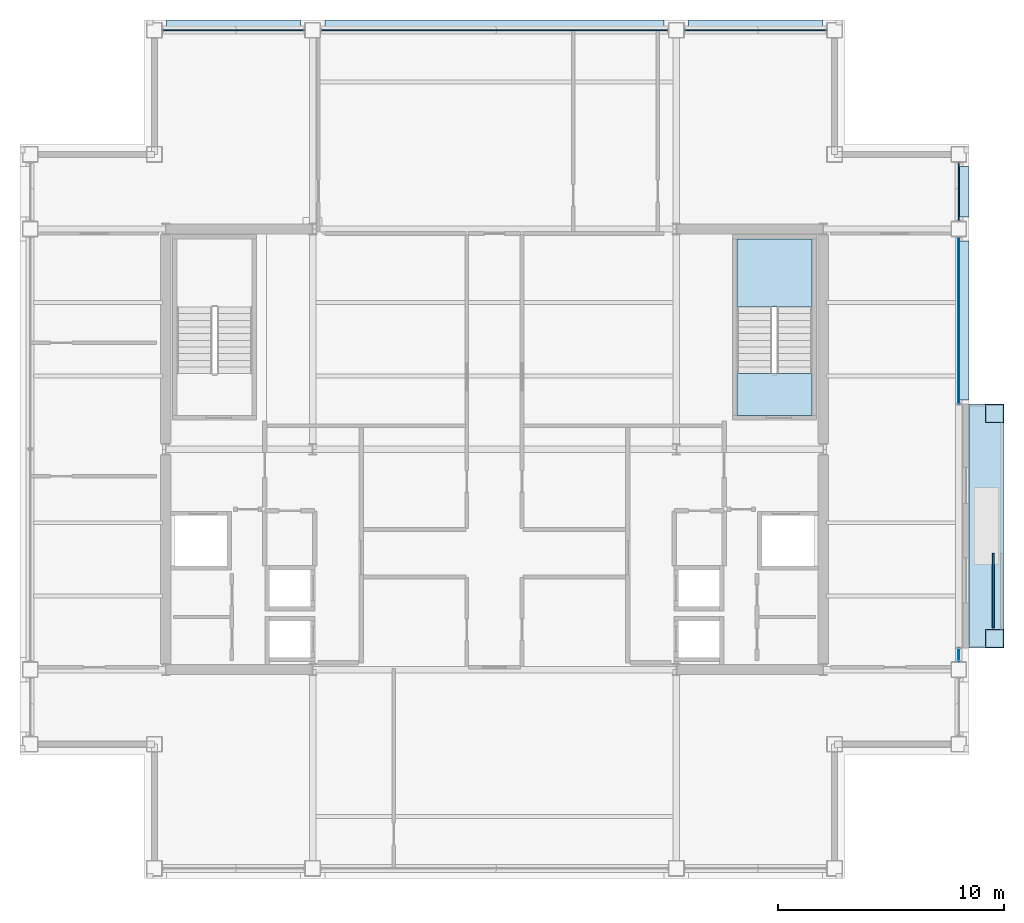
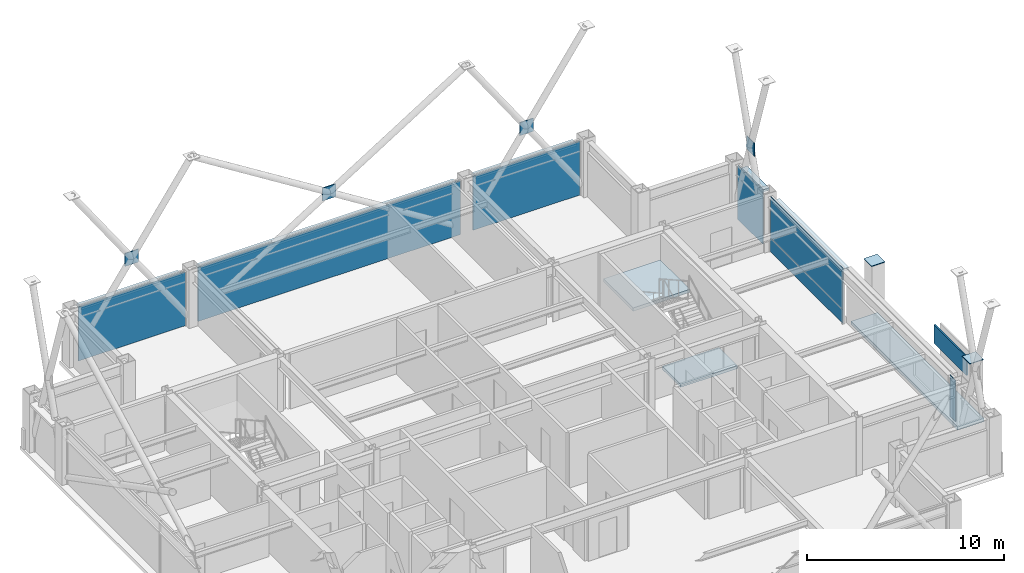
# One storey, part 27 of 33: 19 plates, 3 slabs, 7 elements without a shape of their own.
"""IFC4 building model written with IfcOpenShell, lengths in metres."""

from ifc_helpers import new_model, si_unit, direction, frame, origin, origin_2d, place, context, subcontext, project, spatial, polyline, rectangle, outline, extrude, material, layer, layer_set, type_object, element, aggregate, save


model = new_model("IFC4")

# Units and contexts
model_context = context("Model", 3, precision=1e-05, world=origin(), true_north=direction((0.0, 1.0)))
body_context = subcontext(model_context, "Body", "Model", "MODEL_VIEW")
ifc_project = project(units=[si_unit("LENGTHUNIT", "METRE"), si_unit("AREAUNIT", "SQUARE_METRE"), si_unit("VOLUMEUNIT", "CUBIC_METRE"), si_unit("PLANEANGLEUNIT", "RADIAN"), si_unit("MASSUNIT", "GRAM", prefix="KILO")], contexts=[model_context])

# Site, building, storey
site_placement = place(None, origin())
site = spatial("IfcSite", under=ifc_project, at=site_placement, CompositionType="ELEMENT")
building_placement = place(site_placement, origin())
building = spatial("IfcBuilding", under=site, at=building_placement, Name="Brelmoor Portico Tower", CompositionType="ELEMENT")
storey_placement = place(building_placement, frame((0.0, 0.0, 194.699951171875)))
storey = spatial("IfcBuildingStorey", under=building, at=storey_placement, Name="L51", CompositionType="ELEMENT", Elevation=194.699951171875)

# Plates
ifc_material_1 = material(Name="Steel Q355B", Category="steel")
ifc_layer_1 = layer(ifc_material_1, 0.044921875)
ifc_layer_set_1 = layer_set([ifc_layer_1], Name="Steel Q355B")
plate_type_1 = type_object("IfcPlateType", Name="PT-CAP-650", PredefinedType="SHEET", material=ifc_layer_set_1)
for number, where, z_axis, x_axis, name in (
    (1, (22.1298828125, -8.3798828125, 3.60009765625), (0.0, 0.0, 1.0), (0.0, 1.0, 0.0), "L51 Proud Picture-Frame Pier PFJ-E1 Welded Head Cap Plate"),
    (2, (22.1298828125, 1.580078125, 3.60009765625), (0.0, 0.0, 1.0), (0.0, 1.0, 0.0), "L51 Proud Picture-Frame Pier PFJ-E2 Welded Head Cap Plate"),
):
    element("IfcPlate", number, at=place(storey_placement, frame(where, z_axis=z_axis, x_axis=x_axis)), inside=storey, type_object=plate_type_1, Name=name, PredefinedType="SHEET", context=body_context, shape_type="SweptSolid", body=[
        extrude(rectangle(XDim=0.7900390625, YDim=0.7900390625, at=origin_2d()), origin(), (0.0, 0.0, 1.0), 0.0400390625),
    ])

# Curtain wall, plate
ifc_material_2 = material(Name="Anodised Aluminium Alloy 6063-T6", Category="aluminium")
ifc_layer_2 = layer(ifc_material_2, 0.179931640625)
ifc_layer_set_2 = layer_set([ifc_layer_2], Name="Anodised Aluminium Alloy 6063-T6")
curtain_wall_type_1 = type_object("IfcCurtainWallType", Name="CW-TOWER-Z3", PredefinedType="NOTDEFINED", material=ifc_layer_set_2)
curtain_wall_1_placement = place(storey_placement, origin())
curtain_wall_1 = element("IfcCurtainWall", 3, at=curtain_wall_1_placement, inside=storey, type_object=curtain_wall_type_1, Name="L51 Curtain Wall CW-L51-4L-2", PredefinedType="NOTDEFINED")
ifc_material_3 = material(Name="Double-Silver Low-E Insulated Glazing", Category="glass")
ifc_layer_3 = layer(ifc_material_3, 0.035888671875)
ifc_layer_set_3 = layer_set([ifc_layer_3], Name="Double-Silver Low-E Insulated Glazing")
plate_type_2 = type_object("IfcPlateType", Name="PT-CW-GLASS", PredefinedType="CURTAIN_PANEL", material=ifc_layer_set_3)
plate_1_placement = place(storey_placement, frame((20.550048828125, -9.094970703125, 0.85009765625), z_axis=(0.0, 0.0, 1.0), x_axis=(0.0, 1.0, 0.0)))
plate_1 = element("IfcPlate", 4, at=plate_1_placement, type_object=plate_type_2, Name="CW-L51-4L-2 Vision Glass Panel 00", PredefinedType="CURTAIN_PANEL", context=body_context, shape_type="SweptSolid", body=[
    extrude(rectangle(XDim=0.56005859375, YDim=0.035888671875, at=origin_2d()), origin(), (0.0, 0.0, 1.0), 2.550048828125),
])
aggregate(curtain_wall_1, [plate_1])

curtain_wall_2_placement = place(storey_placement, origin())
curtain_wall_2 = element("IfcCurtainWall", 5, at=curtain_wall_2_placement, inside=storey, type_object=curtain_wall_type_1, Name="L51 Curtain Wall CW-L51-4R-1", PredefinedType="NOTDEFINED")
plate_2_placement = place(storey_placement, frame((20.550048828125, 5.695068359375, 0.85009765625), z_axis=(0.0, 0.0, 1.0), x_axis=(0.0, 1.0, 0.0)))
plate_2 = element("IfcPlate", 6, at=plate_2_placement, type_object=plate_type_2, Name="CW-L51-4R-1 Vision Glass Panel 00", PredefinedType="CURTAIN_PANEL", context=body_context, shape_type="SweptSolid", body=[
    extrude(rectangle(XDim=7.360107421875, YDim=0.035888671875, at=origin_2d()), origin(), (0.0, 0.0, 1.0), 2.550048828125),
])

ifc_layer_4 = layer(ifc_material_2, 0.179931640625)
ifc_layer_set_4 = layer_set([ifc_layer_4], Name="Anodised Aluminium Alloy 6063-T6")
curtain_wall_type_2 = type_object("IfcCurtainWallType", Name="CW-TOWER-Z3-XB", PredefinedType="NOTDEFINED", material=ifc_layer_set_4)
curtain_wall_3_placement = place(storey_placement, origin())
curtain_wall_3 = element("IfcCurtainWall", 7, at=curtain_wall_3_placement, inside=storey, type_object=curtain_wall_type_2, Name="L51 Curtain Wall CW-L51-02-1", PredefinedType="NOTDEFINED")
ifc_material_4 = material(Name="Pale Champagne Anodised Aluminium Panel", Category="aluminium")
ifc_layer_5 = layer(ifc_material_4, 0.050048828125)
ifc_layer_set_5 = layer_set([ifc_layer_5], Name="Pale Champagne Anodised Aluminium Panel")
plate_type_3 = type_object("IfcPlateType", Name="PT-CW-SPANDREL", PredefinedType="SHEET", material=ifc_layer_set_5)
plate_3_placement = place(storey_placement, frame((-11.550048828125, 18.550048828125, 0.0), z_axis=(0.0, 0.0, 1.0), x_axis=(1.0, 0.0, 0.0)))
plate_3 = element("IfcPlate", 8, at=plate_3_placement, type_object=plate_type_3, Name="CW-L51-02-1 Spandrel Panel 00", PredefinedType="SHEET", context=body_context, shape_type="SweptSolid", body=[
    extrude(rectangle(XDim=6.25, YDim=0.050048828125, at=origin_2d()), origin(), (0.0, 0.0, 1.0), 3.33740234375),
])
aggregate(curtain_wall_3, [plate_3])

curtain_wall_4_placement = place(storey_placement, origin())
curtain_wall_4 = element("IfcCurtainWall", 9, at=curtain_wall_4_placement, inside=storey, type_object=curtain_wall_type_2, Name="L51 Curtain Wall CW-L51-02-2", PredefinedType="NOTDEFINED")
plate_4_placement = place(storey_placement, frame((0.0, 18.550048828125, 0.0), z_axis=(0.0, 0.0, 1.0), x_axis=(1.0, 0.0, 0.0)))
plate_4 = element("IfcPlate", 10, at=plate_4_placement, type_object=plate_type_3, Name="CW-L51-02-2 Spandrel Panel 00", PredefinedType="SHEET", context=body_context, shape_type="SweptSolid", body=[
    extrude(rectangle(XDim=15.35009765625, YDim=0.050048828125, at=origin_2d()), origin(), (0.0, 0.0, 1.0), 3.33740234375),
])
aggregate(curtain_wall_4, [plate_4])

curtain_wall_5_placement = place(storey_placement, origin())
curtain_wall_5 = element("IfcCurtainWall", 11, at=curtain_wall_5_placement, inside=storey, type_object=curtain_wall_type_2, Name="L51 Curtain Wall CW-L51-02-3", PredefinedType="NOTDEFINED")
plate_5_placement = place(storey_placement, frame((11.550048828125, 18.550048828125, 0.0), z_axis=(0.0, 0.0, 1.0), x_axis=(1.0, 0.0, 0.0)))
plate_5 = element("IfcPlate", 12, at=plate_5_placement, type_object=plate_type_3, Name="CW-L51-02-3 Spandrel Panel 00", PredefinedType="SHEET", context=body_context, shape_type="SweptSolid", body=[
    extrude(rectangle(XDim=6.25, YDim=0.050048828125, at=origin_2d()), origin(), (0.0, 0.0, 1.0), 3.33740234375),
])
aggregate(curtain_wall_5, [plate_5])

# Plate
plate_6_placement = place(storey_placement, frame((20.550048828125, 5.695068359375, 0.0), z_axis=(0.0, 0.0, 1.0), x_axis=(0.0, 1.0, 0.0)))
plate_6 = element("IfcPlate", 13, at=plate_6_placement, type_object=plate_type_3, Name="CW-L51-4R-1 Spandrel Panel 00", PredefinedType="SHEET", context=body_context, shape_type="SweptSolid", body=[
    extrude(rectangle(XDim=7.360107421875, YDim=0.050048828125, at=origin_2d()), origin(), (0.0, 0.0, 1.0), 0.85009765625),
])

aggregate(curtain_wall_2, [plate_6, plate_2])

# Curtain wall, plate
curtain_wall_6_placement = place(storey_placement, origin())
curtain_wall_6 = element("IfcCurtainWall", 14, at=curtain_wall_6_placement, inside=storey, type_object=curtain_wall_type_2, Name="L51 Curtain Wall CW-L51-4R-2", PredefinedType="NOTDEFINED")
plate_7_placement = place(storey_placement, frame((20.550048828125, 11.39990234375, 0.0), z_axis=(0.0, 0.0, 1.0), x_axis=(0.0, 1.0, 0.0)))
plate_7 = element("IfcPlate", 15, at=plate_7_placement, type_object=plate_type_3, Name="CW-L51-4R-2 Spandrel Panel 00", PredefinedType="SHEET", context=body_context, shape_type="SweptSolid", body=[
    extrude(rectangle(XDim=2.550048828125, YDim=0.050048828125, at=origin_2d()), origin(), (0.0, 0.0, 1.0), 3.33740234375),
])
aggregate(curtain_wall_6, [plate_7])

# Plates
ifc_layer_6 = layer(ifc_material_1, 0.050048828125)
ifc_layer_set_6 = layer_set([ifc_layer_6], Name="Steel Q355B")
plate_type_4 = type_object("IfcPlateType", Name="PT-GUSSET-800", PredefinedType="USERDEFINED", material=ifc_layer_set_6)
for number, where, z_axis, x_axis, name in (
    (16, (-11.550048828125, 18.550048828125, 4.89990234375), (0.0, 0.0, 1.0), (1.0, 0.0, 0.0), "L51 Perimeter Mega-Brace Gusset 119"),
    (17, (0.0, 18.550048828125, 4.89990234375), (0.0, 0.0, 1.0), (1.0, 0.0, 0.0), "L51 Perimeter Mega-Brace Gusset 120"),
    (18, (11.550048828125, 18.550048828125, 4.89990234375), (0.0, 0.0, 1.0), (1.0, 0.0, 0.0), "L51 Perimeter Mega-Brace Gusset 121"),
):
    element("IfcPlate", number, at=place(storey_placement, frame(where, z_axis=z_axis, x_axis=x_axis)), inside=storey, type_object=plate_type_4, Name=name, ObjectType="GUSSET PLATE", PredefinedType="USERDEFINED", context=body_context, shape_type="SweptSolid", body=[
        extrude(rectangle(XDim=0.800048828125, YDim=0.050048828125, at=origin_2d()), origin(), (0.0, 0.0, 1.0), 0.800048828125),
    ])
plate_8_placement = place(storey_placement, frame((20.550048828125, 11.39990234375, 4.89990234375), z_axis=(0.0, 0.0, 1.0), x_axis=(1.0, 0.0, 0.0)))
element("IfcPlate", 19, at=plate_8_placement, inside=storey, type_object=plate_type_4, Name="L51 Perimeter Mega-Brace Gusset 126", ObjectType="GUSSET PLATE", PredefinedType="USERDEFINED", context=body_context, shape_type="SweptSolid", body=[
    extrude(rectangle(XDim=0.050048828125, YDim=0.800048828125, at=origin_2d()), origin(), (0.0, 0.0, 1.0), 0.800048828125),
])
ifc_material_5 = material(Name="Powder-Coated Aluminium Shuttered Jalousie Louvre", Category="aluminium")
ifc_layer_7 = layer(ifc_material_5, 0.06005859375)
ifc_layer_set_7 = layer_set([ifc_layer_7], Name="Powder-Coated Aluminium Shuttered Jalousie Louvre")
plate_type_5 = type_object("IfcPlateType", Name="PT-JALOUSIE-SHUTTER", PredefinedType="SHEET", material=ifc_layer_set_7)
plate_9_placement = place(storey_placement, frame((22.080078125, -6.25, 2.275146484375), z_axis=(0.0, 0.0, 1.0), x_axis=(0.0, 1.0, 0.0)))
element("IfcPlate", 20, at=plate_9_placement, inside=storey, type_object=plate_type_5, Name="L51 Shuttered Veranda Screen E", PredefinedType="SHEET", context=body_context, shape_type="SweptSolid", body=[
    extrude(rectangle(XDim=3.300048828125, YDim=0.080078125, at=origin_2d()), origin(), (0.0, 0.0, 1.0), 1.14990234375),
])
ifc_material_6 = material(Name="Pale Champagne Perforated Aluminium Solar Screen", Category="aluminium")
ifc_layer_8 = layer(ifc_material_6, 0.054931640625)
ifc_layer_set_8 = layer_set([ifc_layer_8], Name="Pale Champagne Perforated Aluminium Solar Screen")
plate_type_6 = type_object("IfcPlateType", Name="PT-SOLAR-LOUVRE", PredefinedType="SHEET", material=ifc_layer_set_8)
plate_10_placement = place(storey_placement, frame((-11.550048828125, 18.760009765625, 3.09033203125), z_axis=(0.0, 0.0, 1.0), x_axis=(1.0, 0.0, 0.0)))
element("IfcPlate", 21, at=plate_10_placement, inside=storey, type_object=plate_type_6, Name="CW-L51-02-1 Caribbean Brise-Soleil Solar Screen", PredefinedType="SHEET", context=body_context, shape_type="SweptSolid", body=[
    extrude(rectangle(XDim=5.919921875, YDim=0.4599609375, at=origin_2d()), origin(), (0.0, 0.0, 1.0), 0.139892578125),
])
plate_11_placement = place(storey_placement, frame((0.0, 18.760009765625, 3.09033203125), z_axis=(0.0, 0.0, 1.0), x_axis=(1.0, 0.0, 0.0)))
element("IfcPlate", 22, at=plate_11_placement, inside=storey, type_object=plate_type_6, Name="CW-L51-02-2 Caribbean Brise-Soleil Solar Screen", PredefinedType="SHEET", context=body_context, shape_type="SweptSolid", body=[
    extrude(rectangle(XDim=15.02001953125, YDim=0.4599609375, at=origin_2d()), origin(), (0.0, 0.0, 1.0), 0.139892578125),
])
plate_12_placement = place(storey_placement, frame((11.550048828125, 18.760009765625, 3.09033203125), z_axis=(0.0, 0.0, 1.0), x_axis=(1.0, 0.0, 0.0)))
element("IfcPlate", 23, at=plate_12_placement, inside=storey, type_object=plate_type_6, Name="CW-L51-02-3 Caribbean Brise-Soleil Solar Screen", PredefinedType="SHEET", context=body_context, shape_type="SweptSolid", body=[
    extrude(rectangle(XDim=5.919921875, YDim=0.4599609375, at=origin_2d()), origin(), (0.0, 0.0, 1.0), 0.139892578125),
])
plate_13_placement = place(storey_placement, frame((20.760009765625, 5.695068359375, 3.09033203125), z_axis=(0.0, 0.0, 1.0), x_axis=(0.0, 1.0, 0.0)))
element("IfcPlate", 24, at=plate_13_placement, inside=storey, type_object=plate_type_6, Name="CW-L51-4R-1 Caribbean Brise-Soleil Solar Screen", PredefinedType="SHEET", context=body_context, shape_type="SweptSolid", body=[
    extrude(rectangle(XDim=7.030029296875, YDim=0.4599609375, at=origin_2d()), origin(), (0.0, 0.0, 1.0), 0.139892578125),
])
plate_14_placement = place(storey_placement, frame((20.760009765625, 11.39990234375, 3.09033203125), z_axis=(0.0, 0.0, 1.0), x_axis=(0.0, 1.0, 0.0)))
element("IfcPlate", 25, at=plate_14_placement, inside=storey, type_object=plate_type_6, Name="CW-L51-4R-2 Caribbean Brise-Soleil Solar Screen", PredefinedType="SHEET", context=body_context, shape_type="SweptSolid", body=[
    extrude(rectangle(XDim=2.219970703125, YDim=0.4599609375, at=origin_2d()), origin(), (0.0, 0.0, 1.0), 0.139892578125),
])

# Slab
ifc_material_7 = material(Name="Concrete C40", Category="concrete")
ifc_layer_9 = layer(ifc_material_7, 0.199951171875)
ifc_layer_set_9 = layer_set([ifc_layer_9], Name="Concrete C40")
slab_type_1 = type_object("IfcSlabType", Name="SL-BALCONY-200", PredefinedType="FLOOR", material=ifc_layer_set_9)
slab_1_placement = place(storey_placement, frame((0.0, 0.0, -0.199951171875)))
element("IfcSlab", 26, at=slab_1_placement, inside=storey, type_object=slab_type_1, Name="L51 Loggia Tree Balcony Slab E", PredefinedType="FLOOR", context=body_context, shape_type="SweptSolid", body=[
    extrude(outline(polyline([(21.0, -8.800048828125), (22.550048828125, -8.800048828125), (22.550048828125, 2.0), (21.0, 2.0), (21.0, -8.800048828125)])), origin(), (0.0, 0.0, 1.0), 0.199951171875),
])

# Stair, slab
stair_type = type_object("IfcStairType", Name="ST-CORE-E", PredefinedType="HALF_TURN_STAIR", material=ifc_material_7)
stair_placement = place(storey_placement, origin())
stair = element("IfcStair", 27, at=stair_placement, inside=storey, type_object=stair_type, Name="L51 Protected Core Exit Stair ST-E", PredefinedType="HALF_TURN_STAIR")
ifc_layer_10 = layer(ifc_material_7, 0.179931640625)
ifc_layer_set_10 = layer_set([ifc_layer_10], Name="Concrete C40")
slab_type_2 = type_object("IfcSlabType", Name="SL-LANDING-180", PredefinedType="LANDING", material=ifc_layer_set_10)
slab_2_placement = place(storey_placement, frame((0.0, 0.0, 1.60009765625)))
slab_2 = element("IfcSlab", 28, at=slab_2_placement, type_object=slab_type_2, Name="ST-E landing 1", PredefinedType="LANDING", context=body_context, shape_type="SweptSolid", body=[
    extrude(outline(polyline([(14.050048828125, 6.300048828125), (14.050048828125, 9.300048828125), (10.72998046875, 9.300048828125), (10.72998046875, 6.300048828125), (14.050048828125, 6.300048828125)])), origin(), (0.0, 0.0, 1.0), 0.199951171875),
])
aggregate(stair, [slab_2])

# Slab
ifc_layer_11 = layer(ifc_material_7, 0.199951171875)
ifc_layer_set_11 = layer_set([ifc_layer_11], Name="Concrete C40")
slab_type_3 = type_object("IfcSlabType", Name="SL-STAIR-FL200", PredefinedType="LANDING", material=ifc_layer_set_11)
slab_3_placement = place(storey_placement, frame((0.0, 0.0, -0.199951171875)))
element("IfcSlab", 29, at=slab_3_placement, inside=storey, type_object=slab_type_3, Name="L51 ST-E Structural Floor Landing Slab", PredefinedType="LANDING", context=body_context, shape_type="SweptSolid", body=[
    extrude(outline(polyline([(14.050048828125, 1.5), (14.050048828125, 3.35009765625), (10.72998046875, 3.35009765625), (10.72998046875, 1.5), (14.050048828125, 1.5)])), origin(), (0.0, 0.0, 1.0), 0.199951171875),
])

save(model, "model.ifc")
